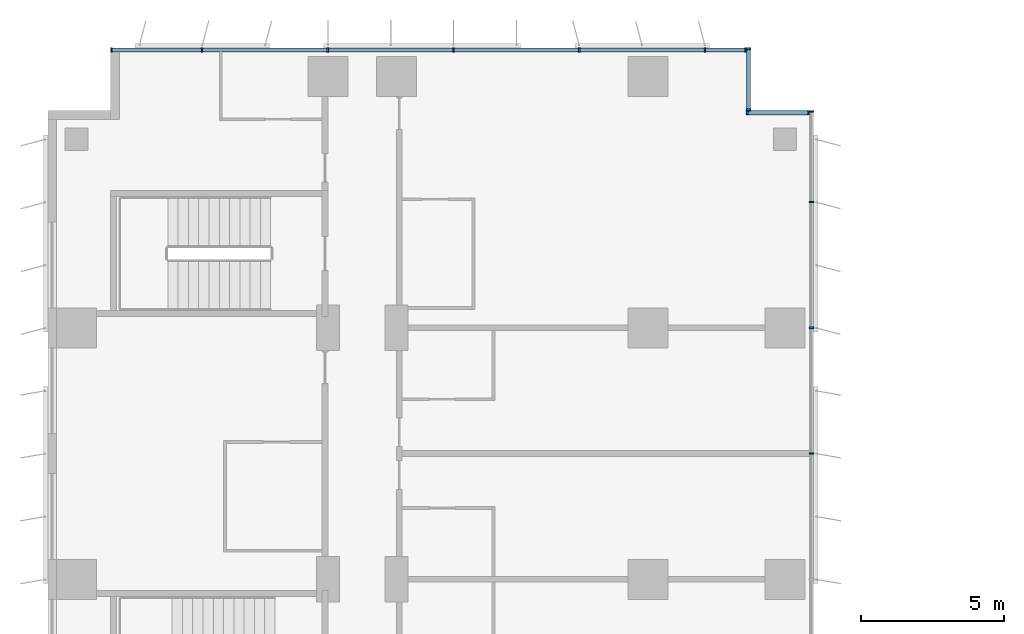
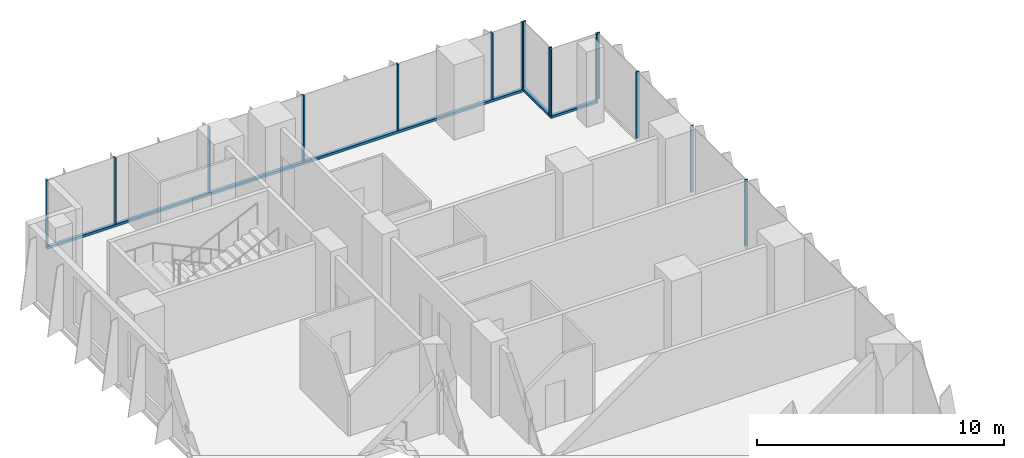
# One storey, part 9 of 24: 18 members, 4 elements without a shape of their own.
"""IFC4 building model written with IfcOpenShell, lengths in metres."""

from ifc_helpers import new_model, si_unit, direction, frame, origin, origin_2d, place, context, subcontext, project, spatial, rectangle, extrude, source, transform, mapped, material, material_profile, profile_set, type_object, element, aggregate, save


model = new_model("IFC4")

# Units and contexts
model_context = context("Model", 3, precision=1e-05, world=origin(), true_north=direction((0.0, 1.0)))
body_context = subcontext(model_context, "Body", "Model", "MODEL_VIEW")
ifc_project = project(units=[si_unit("LENGTHUNIT", "METRE"), si_unit("AREAUNIT", "SQUARE_METRE"), si_unit("VOLUMEUNIT", "CUBIC_METRE"), si_unit("PLANEANGLEUNIT", "RADIAN"), si_unit("MASSUNIT", "GRAM", prefix="KILO")], contexts=[model_context])

# Site, building, storey
site_placement = place(None, origin())
site = spatial("IfcSite", under=ifc_project, at=site_placement, CompositionType="ELEMENT")
building_placement = place(site_placement, origin())
building = spatial("IfcBuilding", under=site, at=building_placement, Name="Kemantara Hotel Tower", CompositionType="ELEMENT")
storey_placement = place(building_placement, frame((0.0, 0.0, 59.89990234375)))
storey = spatial("IfcBuildingStorey", under=building, at=storey_placement, Name="L13", CompositionType="ELEMENT", Elevation=59.89990234375)

# Curtain wall, member
ifc_material_1 = material(Name="Low-E tinted double insulated glass 36 mm", Category="glass")
curtain_wall_type = type_object("IfcCurtainWallType", Name="TOWER CURTAIN WALL, FRONT FACES", PredefinedType="USERDEFINED", material=ifc_material_1)
curtain_wall_1_placement = place(storey_placement, origin())
curtain_wall_1 = element("IfcCurtainWall", 1, at=curtain_wall_1_placement, inside=storey, type_object=curtain_wall_type, Name="CW4 L13 T1-R11-1", ObjectType="TOWER CURTAIN WALL, FRONT FACES", PredefinedType="USERDEFINED")
ifc_material_2 = material(Name="Aluminium 6063-T6 bronze anodised", Category="aluminium")
ifc_material_profile_1 = material_profile(ifc_material_2, rectangle(XDim=0.14990234375, YDim=0.1201171875, at=origin_2d()), Name="TOWER CURTAIN WALL, FRONT FACES TRANSOM")
ifc_profile_set_1 = profile_set([ifc_material_profile_1], Name="Aluminium 6063-T6 bronze anodised")
member_type_1 = type_object("IfcMemberType", Name="TOWER CURTAIN WALL, FRONT FACES TRANSOM", PredefinedType="USERDEFINED", material=ifc_profile_set_1)
member_1_placement = place(storey_placement, frame((24.449951171875, 81.125, 0.06005859375), z_axis=(-1.0, 0.0, 0.0), x_axis=(0.0, -1.0, 0.0)))
member_1 = element("IfcMember", 2, at=member_1_placement, type_object=member_type_1, Name="CW4 sill transom T1-R11-1", ObjectType="TRANSOM", PredefinedType="USERDEFINED", context=body_context, shape_type="SweptSolid", body=[
    extrude(rectangle(XDim=0.14990234375, YDim=0.1201171875, at=origin_2d()), origin(), (0.0, 0.0, 1.0), 22.25),
])

curtain_wall_2_placement = place(storey_placement, origin())
curtain_wall_2 = element("IfcCurtainWall", 3, at=curtain_wall_2_placement, inside=storey, type_object=curtain_wall_type, Name="CW4 L13 T1-R09-1", ObjectType="TOWER CURTAIN WALL, FRONT FACES", PredefinedType="USERDEFINED")
member_2_placement = place(storey_placement, frame((26.64990234375, 78.925048828125, 0.06005859375), z_axis=(-1.0, 0.0, 0.0), x_axis=(0.0, -1.0, 0.0)))
member_2 = element("IfcMember", 4, at=member_2_placement, type_object=member_type_1, Name="CW4 sill transom T1-R09-1", ObjectType="TRANSOM", PredefinedType="USERDEFINED", context=body_context, shape_type="SweptSolid", body=[
    extrude(rectangle(XDim=0.14990234375, YDim=0.1201171875, at=origin_2d()), origin(), (0.0, 0.0, 1.0), 2.199951171875),
])

curtain_wall_3_placement = place(storey_placement, origin())
curtain_wall_3 = element("IfcCurtainWall", 5, at=curtain_wall_3_placement, inside=storey, type_object=curtain_wall_type, Name="CW4 L13 T1-R10-1", ObjectType="TOWER CURTAIN WALL, FRONT FACES", PredefinedType="USERDEFINED")
member_3_placement = place(storey_placement, frame((24.52490234375, 79.0, 0.06005859375), z_axis=(0.0, 1.0, 0.0), x_axis=(-1.0, 0.0, 0.0)))
member_3 = element("IfcMember", 6, at=member_3_placement, type_object=member_type_1, Name="CW4 sill transom T1-R10-1", ObjectType="TRANSOM", PredefinedType="USERDEFINED", context=body_context, shape_type="SweptSolid", body=[
    extrude(rectangle(XDim=0.14990234375, YDim=0.1201171875, at=origin_2d()), origin(), (0.0, 0.0, 1.0), 2.199951171875),
])

# Curtain wall, members
curtain_wall_4_placement = place(storey_placement, origin())
curtain_wall_4 = element("IfcCurtainWall", 7, at=curtain_wall_4_placement, inside=storey, type_object=curtain_wall_type, Name="CW4 L13 T1-R08-1", ObjectType="TOWER CURTAIN WALL, FRONT FACES", PredefinedType="USERDEFINED")
ifc_material_profile_2 = material_profile(ifc_material_2, rectangle(XDim=0.14990234375, YDim=0.06005859375, at=origin_2d()), Name="TOWER CURTAIN WALL, FRONT FACES MULLION")
ifc_profile_set_2 = profile_set([ifc_material_profile_2], Name="Aluminium 6063-T6 bronze anodised")
member_type_2 = type_object("IfcMemberType", Name="TOWER CURTAIN WALL, FRONT FACES MULLION", PredefinedType="MULLION", material=ifc_profile_set_2)
shared_shape = source(origin(), body_context, "Body", "SweptSolid", [
    extrude(rectangle(XDim=0.14990234375, YDim=0.06005859375, at=origin_2d()), origin(), (0.0, 0.0, 1.0), 3.280029296875),
])
member_4_placement = place(storey_placement, frame((26.72509765625, 67.0, 0.1201171875), z_axis=(0.0, 0.0, 1.0), x_axis=(-1.0, 0.0, 0.0)))
member_4 = element("IfcMember", 8, at=member_4_placement, type_object=member_type_2, Name="CW4 mullion T1-R08-1.11", PredefinedType="MULLION", context=body_context, shape_type="MappedRepresentation", body=[
    mapped(shared_shape, transform((0.0, 0.0, 0.0))),
])
member_5_placement = place(storey_placement, frame((26.72509765625, 71.39990234375, 0.1201171875), z_axis=(0.0, 0.0, 1.0), x_axis=(-1.0, 0.0, 0.0)))
member_5 = element("IfcMember", 9, at=member_5_placement, type_object=member_type_2, Name="CW4 mullion T1-R08-1.12", PredefinedType="MULLION", context=body_context, shape_type="MappedRepresentation", body=[
    mapped(shared_shape, transform((0.0, 0.0, 0.0))),
])
member_6_placement = place(storey_placement, frame((26.72509765625, 75.800048828125, 0.1201171875), z_axis=(0.0, 0.0, 1.0), x_axis=(-1.0, 0.0, 0.0)))
member_6 = element("IfcMember", 10, at=member_6_placement, type_object=member_type_2, Name="CW4 mullion T1-R08-1.13", PredefinedType="MULLION", context=body_context, shape_type="MappedRepresentation", body=[
    mapped(shared_shape, transform((0.0, 0.0, 0.0))),
])
member_7_placement = place(storey_placement, frame((26.72509765625, 78.969970703125, 0.1201171875), z_axis=(0.0, 0.0, 1.0), x_axis=(-1.0, 0.0, 0.0)))
member_7 = element("IfcMember", 11, at=member_7_placement, type_object=member_type_2, Name="CW4 mullion T1-R08-1.14", PredefinedType="MULLION", context=body_context, shape_type="MappedRepresentation", body=[
    mapped(shared_shape, transform((0.0, 0.0, 0.0))),
])
aggregate(curtain_wall_4, [member_4, member_5, member_6, member_7])

# Member
member_8_placement = place(storey_placement, frame((24.419921875, 81.125, 0.1201171875), z_axis=(0.0, 0.0, 1.0), x_axis=(0.0, -1.0, 0.0)))
member_8 = element("IfcMember", 12, at=member_8_placement, type_object=member_type_2, Name="CW4 mullion T1-R11-1.1", PredefinedType="MULLION", context=body_context, shape_type="MappedRepresentation", body=[
    mapped(shared_shape, transform((0.0, 0.0, 0.0))),
])

member_9_placement = place(storey_placement, frame((23.0, 81.125, 0.1201171875), z_axis=(0.0, 0.0, 1.0), x_axis=(0.0, -1.0, 0.0)))
member_9 = element("IfcMember", 13, at=member_9_placement, type_object=member_type_2, Name="CW4 mullion T1-R11-1.2", PredefinedType="MULLION", context=body_context, shape_type="MappedRepresentation", body=[
    mapped(shared_shape, transform((0.0, 0.0, 0.0))),
])

member_10_placement = place(storey_placement, frame((18.60009765625, 81.125, 0.1201171875), z_axis=(0.0, 0.0, 1.0), x_axis=(0.0, -1.0, 0.0)))
member_10 = element("IfcMember", 14, at=member_10_placement, type_object=member_type_2, Name="CW4 mullion T1-R11-1.3", PredefinedType="MULLION", context=body_context, shape_type="MappedRepresentation", body=[
    mapped(shared_shape, transform((0.0, 0.0, 0.0))),
])

member_11_placement = place(storey_placement, frame((14.199951171875, 81.125, 0.1201171875), z_axis=(0.0, 0.0, 1.0), x_axis=(0.0, -1.0, 0.0)))
member_11 = element("IfcMember", 15, at=member_11_placement, type_object=member_type_2, Name="CW4 mullion T1-R11-1.4", PredefinedType="MULLION", context=body_context, shape_type="MappedRepresentation", body=[
    mapped(shared_shape, transform((0.0, 0.0, 0.0))),
])

member_12_placement = place(storey_placement, frame((9.800048828125, 81.125, 0.1201171875), z_axis=(0.0, 0.0, 1.0), x_axis=(0.0, -1.0, 0.0)))
member_12 = element("IfcMember", 16, at=member_12_placement, type_object=member_type_2, Name="CW4 mullion T1-R11-1.5", PredefinedType="MULLION", context=body_context, shape_type="MappedRepresentation", body=[
    mapped(shared_shape, transform((0.0, 0.0, 0.0))),
])

member_13_placement = place(storey_placement, frame((5.39990234375, 81.125, 0.1201171875), z_axis=(0.0, 0.0, 1.0), x_axis=(0.0, -1.0, 0.0)))
member_13 = element("IfcMember", 17, at=member_13_placement, type_object=member_type_2, Name="CW4 mullion T1-R11-1.6", PredefinedType="MULLION", context=body_context, shape_type="MappedRepresentation", body=[
    mapped(shared_shape, transform((0.0, 0.0, 0.0))),
])

member_14_placement = place(storey_placement, frame((2.22998046875, 81.125, 0.1201171875), z_axis=(0.0, 0.0, 1.0), x_axis=(0.0, -1.0, 0.0)))
member_14 = element("IfcMember", 18, at=member_14_placement, type_object=member_type_2, Name="CW4 mullion T1-R11-1.7", PredefinedType="MULLION", context=body_context, shape_type="MappedRepresentation", body=[
    mapped(shared_shape, transform((0.0, 0.0, 0.0))),
])

aggregate(curtain_wall_1, [member_1, member_8, member_9, member_10, member_11, member_12, member_13, member_14])

member_15_placement = place(storey_placement, frame((26.6201171875, 78.925048828125, 0.1201171875), z_axis=(0.0, 0.0, 1.0), x_axis=(0.0, -1.0, 0.0)))
member_15 = element("IfcMember", 19, at=member_15_placement, type_object=member_type_2, Name="CW4 mullion T1-R09-1.1", PredefinedType="MULLION", context=body_context, shape_type="MappedRepresentation", body=[
    mapped(shared_shape, transform((0.0, 0.0, 0.0))),
])

member_16_placement = place(storey_placement, frame((24.47998046875, 78.925048828125, 0.1201171875), z_axis=(0.0, 0.0, 1.0), x_axis=(0.0, -1.0, 0.0)))
member_16 = element("IfcMember", 20, at=member_16_placement, type_object=member_type_2, Name="CW4 mullion T1-R09-1.2", PredefinedType="MULLION", context=body_context, shape_type="MappedRepresentation", body=[
    mapped(shared_shape, transform((0.0, 0.0, 0.0))),
])

aggregate(curtain_wall_2, [member_2, member_15, member_16])

member_17_placement = place(storey_placement, frame((24.52490234375, 79.030029296875, 0.1201171875), z_axis=(0.0, 0.0, 1.0), x_axis=(-1.0, 0.0, 0.0)))
member_17 = element("IfcMember", 21, at=member_17_placement, type_object=member_type_2, Name="CW4 mullion T1-R10-1.1", PredefinedType="MULLION", context=body_context, shape_type="MappedRepresentation", body=[
    mapped(shared_shape, transform((0.0, 0.0, 0.0))),
])

member_18_placement = place(storey_placement, frame((24.52490234375, 81.169921875, 0.1201171875), z_axis=(0.0, 0.0, 1.0), x_axis=(-1.0, 0.0, 0.0)))
member_18 = element("IfcMember", 22, at=member_18_placement, type_object=member_type_2, Name="CW4 mullion T1-R10-1.2", PredefinedType="MULLION", context=body_context, shape_type="MappedRepresentation", body=[
    mapped(shared_shape, transform((0.0, 0.0, 0.0))),
])

aggregate(curtain_wall_3, [member_3, member_17, member_18])

save(model, "model.ifc")
